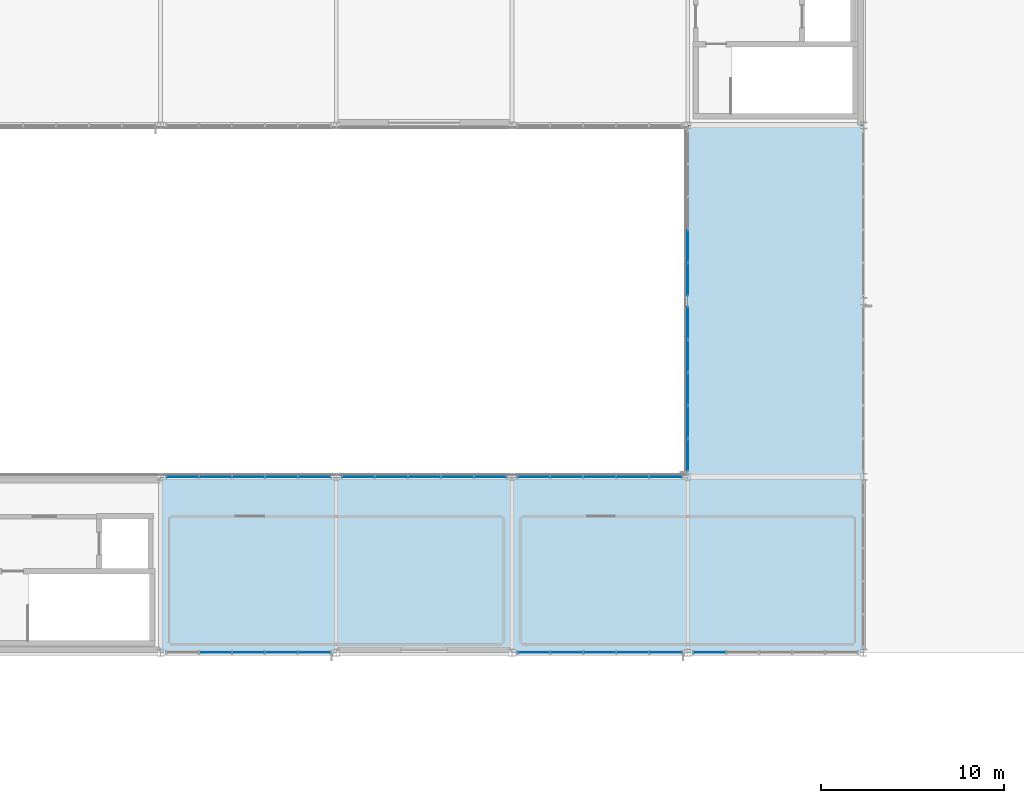
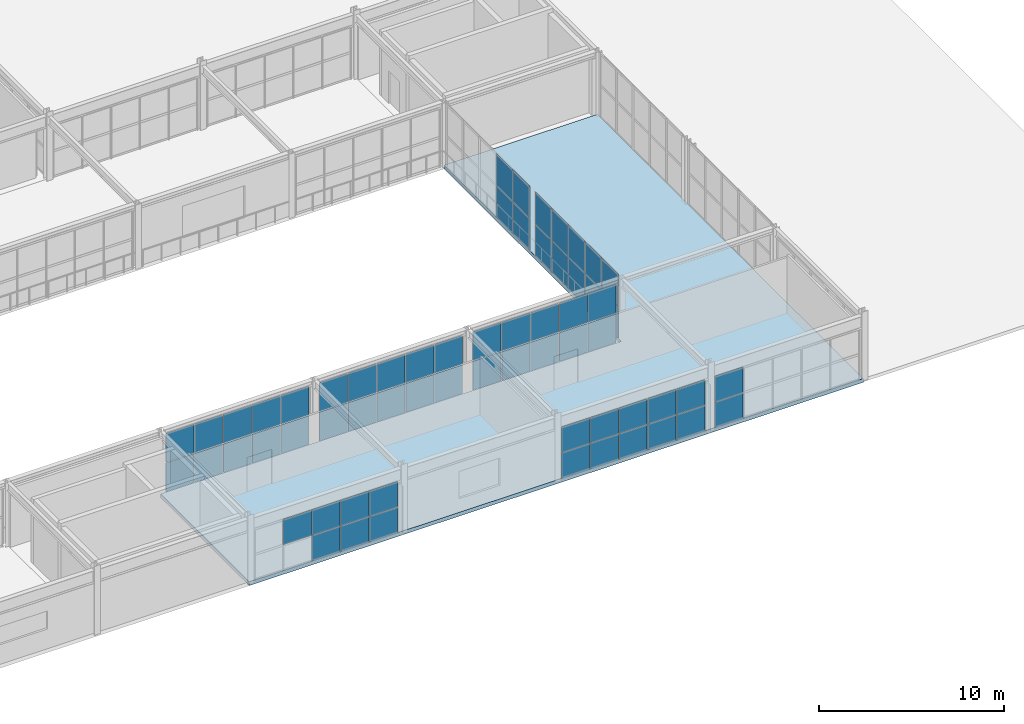
# One storey, part 137 of 170: 63 plates, 1 slab, 8 elements without a shape of their own.
"""IFC4 building model written with IfcOpenShell, lengths in metres."""

from ifc_helpers import new_model, si_unit, direction, frame, origin, origin_2d, place, context, subcontext, project, spatial, polyline, rectangle, outline, extrude, material, layer, layer_set, type_object, element, aggregate, save


model = new_model("IFC4")

# Units and contexts
model_context = context("Model", 3, precision=1e-05, world=origin(), true_north=direction((0.0, 1.0)))
body_context = subcontext(model_context, "Body", "Model", "MODEL_VIEW")
ifc_project = project(units=[si_unit("LENGTHUNIT", "METRE"), si_unit("AREAUNIT", "SQUARE_METRE"), si_unit("VOLUMEUNIT", "CUBIC_METRE"), si_unit("PLANEANGLEUNIT", "RADIAN"), si_unit("MASSUNIT", "GRAM", prefix="KILO")], contexts=[model_context])

# Site, building, storey
site_placement = place(None, origin())
site = spatial("IfcSite", under=ifc_project, at=site_placement, CompositionType="ELEMENT")
building_placement = place(site_placement, origin())
building = spatial("IfcBuilding", under=site, at=building_placement, Name="Coralgate Yard Interchange", CompositionType="ELEMENT")
storey_placement = place(building_placement, frame((0.0, 0.0, 6.0)))
storey = spatial("IfcBuildingStorey", under=building, at=storey_placement, Name="L01", CompositionType="ELEMENT", Elevation=6.0)

# Curtain wall, plates
ifc_material_1 = material(Name="Anodised coastal aluminium and solar-control low-E glass", Category="aluminium")
curtain_wall_type_1 = type_object("IfcCurtainWallType", Name="CW-CW-L01-A", PredefinedType="NOTDEFINED", material=ifc_material_1)
curtain_wall_1_placement = place(storey_placement, origin())
curtain_wall_1 = element("IfcCurtainWall", 1, at=curtain_wall_1_placement, inside=storey, type_object=curtain_wall_type_1, Name="L01 unitised curtain wall CW-L01-S-10-04", PredefinedType="NOTDEFINED")
ifc_material_2 = material(Name="Solar-control double-glazed low-E glass unit", Category="glass")
ifc_layer_1 = layer(ifc_material_2, 0.031982421875)
ifc_layer_set_1 = layer_set([ifc_layer_1], Name="Solar-control double-glazed low-E glass unit")
plate_type = type_object("IfcPlateType", Name="PLT-CP-32", PredefinedType="CURTAIN_PANEL", material=ifc_layer_set_1)
plate_1_placement = place(storey_placement, frame((104.39990234375, 38.39990234375, 0.02490234375), z_axis=(0.0, 0.0, 1.0), x_axis=(-1.0, 0.0, 0.0)))
plate_1 = element("IfcPlate", 2, at=plate_1_placement, type_object=plate_type, Name="CW-L01-S-10-04 solar-control glazing panel 1-1", PredefinedType="CURTAIN_PANEL", context=body_context, shape_type="SweptSolid", body=[
    extrude(rectangle(XDim=1.75, YDim=0.031982421875, at=origin_2d()), origin(), (0.0, 0.0, 1.0), 1.654541015625),
])
plate_2_placement = place(storey_placement, frame((104.39990234375, 38.39990234375, 1.7294921875), z_axis=(0.0, 0.0, 1.0), x_axis=(-1.0, 0.0, 0.0)))
plate_2 = element("IfcPlate", 3, at=plate_2_placement, type_object=plate_type, Name="CW-L01-S-10-04 solar-control glazing panel 1-2", PredefinedType="CURTAIN_PANEL", context=body_context, shape_type="SweptSolid", body=[
    extrude(rectangle(XDim=1.75, YDim=0.031982421875, at=origin_2d()), origin(), (0.0, 0.0, 1.0), 1.654541015625),
])
plate_3_placement = place(storey_placement, frame((102.60009765625, 38.39990234375, 0.02490234375), z_axis=(0.0, 0.0, 1.0), x_axis=(-1.0, 0.0, 0.0)))
plate_3 = element("IfcPlate", 4, at=plate_3_placement, type_object=plate_type, Name="CW-L01-S-10-04 solar-control glazing panel 2-1", PredefinedType="CURTAIN_PANEL", context=body_context, shape_type="SweptSolid", body=[
    extrude(rectangle(XDim=1.75, YDim=0.031982421875, at=origin_2d()), origin(), (0.0, 0.0, 1.0), 1.654541015625),
])
plate_4_placement = place(storey_placement, frame((102.60009765625, 38.39990234375, 1.7294921875), z_axis=(0.0, 0.0, 1.0), x_axis=(-1.0, 0.0, 0.0)))
plate_4 = element("IfcPlate", 5, at=plate_4_placement, type_object=plate_type, Name="CW-L01-S-10-04 solar-control glazing panel 2-2", PredefinedType="CURTAIN_PANEL", context=body_context, shape_type="SweptSolid", body=[
    extrude(rectangle(XDim=1.75, YDim=0.031982421875, at=origin_2d()), origin(), (0.0, 0.0, 1.0), 1.654541015625),
])
plate_5_placement = place(storey_placement, frame((100.800048828125, 38.39990234375, 0.02490234375), z_axis=(0.0, 0.0, 1.0), x_axis=(-1.0, 0.0, 0.0)))
plate_5 = element("IfcPlate", 6, at=plate_5_placement, type_object=plate_type, Name="CW-L01-S-10-04 solar-control glazing panel 3-1", PredefinedType="CURTAIN_PANEL", context=body_context, shape_type="SweptSolid", body=[
    extrude(rectangle(XDim=1.75, YDim=0.031982421875, at=origin_2d()), origin(), (0.0, 0.0, 1.0), 1.654541015625),
])
plate_6_placement = place(storey_placement, frame((100.800048828125, 38.39990234375, 1.7294921875), z_axis=(0.0, 0.0, 1.0), x_axis=(-1.0, 0.0, 0.0)))
plate_6 = element("IfcPlate", 7, at=plate_6_placement, type_object=plate_type, Name="CW-L01-S-10-04 solar-control glazing panel 3-2", PredefinedType="CURTAIN_PANEL", context=body_context, shape_type="SweptSolid", body=[
    extrude(rectangle(XDim=1.75, YDim=0.031982421875, at=origin_2d()), origin(), (0.0, 0.0, 1.0), 1.654541015625),
])
plate_7_placement = place(storey_placement, frame((99.0, 38.39990234375, 1.7294921875), z_axis=(0.0, 0.0, 1.0), x_axis=(-1.0, 0.0, 0.0)))
plate_7 = element("IfcPlate", 8, at=plate_7_placement, type_object=plate_type, Name="CW-L01-S-10-04 solar-control glazing panel 4-2", PredefinedType="CURTAIN_PANEL", context=body_context, shape_type="SweptSolid", body=[
    extrude(rectangle(XDim=1.75, YDim=0.031982421875, at=origin_2d()), origin(), (0.0, 0.0, 1.0), 1.654541015625),
])
aggregate(curtain_wall_1, [plate_1, plate_2, plate_3, plate_4, plate_5, plate_6, plate_7])

curtain_wall_type_2 = type_object("IfcCurtainWallType", Name="CW-CW-L01-B", PredefinedType="NOTDEFINED", material=ifc_material_1)
curtain_wall_2_placement = place(storey_placement, origin())
curtain_wall_2 = element("IfcCurtainWall", 9, at=curtain_wall_2_placement, inside=storey, type_object=curtain_wall_type_2, Name="L01 unitised curtain wall CW-L01-N-10-04", PredefinedType="NOTDEFINED")
plate_8_placement = place(storey_placement, frame((97.199951171875, 48.0, 0.025146484375), z_axis=(0.0, 0.0, 1.0), x_axis=(1.0, 0.0, 0.0)))
plate_8 = element("IfcPlate", 10, at=plate_8_placement, type_object=plate_type, Name="CW-L01-N-10-04 solar-control glazing panel 1-1", PredefinedType="CURTAIN_PANEL", context=body_context, shape_type="SweptSolid", body=[
    extrude(rectangle(XDim=1.75, YDim=0.031982421875, at=origin_2d()), origin(), (0.0, 0.0, 1.0), 1.89990234375),
])
plate_9_placement = place(storey_placement, frame((97.199951171875, 48.0, 1.97509765625), z_axis=(0.0, 0.0, 1.0), x_axis=(1.0, 0.0, 0.0)))
plate_9 = element("IfcPlate", 11, at=plate_9_placement, type_object=plate_type, Name="CW-L01-N-10-04 solar-control glazing panel 1-2", PredefinedType="CURTAIN_PANEL", context=body_context, shape_type="SweptSolid", body=[
    extrude(rectangle(XDim=1.75, YDim=0.031982421875, at=origin_2d()), origin(), (0.0, 0.0, 1.0), 1.89990234375),
])
plate_10_placement = place(storey_placement, frame((99.0, 48.0, 0.025146484375), z_axis=(0.0, 0.0, 1.0), x_axis=(1.0, 0.0, 0.0)))
plate_10 = element("IfcPlate", 12, at=plate_10_placement, type_object=plate_type, Name="CW-L01-N-10-04 solar-control glazing panel 2-1", PredefinedType="CURTAIN_PANEL", context=body_context, shape_type="SweptSolid", body=[
    extrude(rectangle(XDim=1.75, YDim=0.031982421875, at=origin_2d()), origin(), (0.0, 0.0, 1.0), 1.89990234375),
])
plate_11_placement = place(storey_placement, frame((99.0, 48.0, 1.97509765625), z_axis=(0.0, 0.0, 1.0), x_axis=(1.0, 0.0, 0.0)))
plate_11 = element("IfcPlate", 13, at=plate_11_placement, type_object=plate_type, Name="CW-L01-N-10-04 solar-control glazing panel 2-2", PredefinedType="CURTAIN_PANEL", context=body_context, shape_type="SweptSolid", body=[
    extrude(rectangle(XDim=1.75, YDim=0.031982421875, at=origin_2d()), origin(), (0.0, 0.0, 1.0), 1.89990234375),
])
plate_12_placement = place(storey_placement, frame((100.800048828125, 48.0, 0.025146484375), z_axis=(0.0, 0.0, 1.0), x_axis=(1.0, 0.0, 0.0)))
plate_12 = element("IfcPlate", 14, at=plate_12_placement, type_object=plate_type, Name="CW-L01-N-10-04 solar-control glazing panel 3-1", PredefinedType="CURTAIN_PANEL", context=body_context, shape_type="SweptSolid", body=[
    extrude(rectangle(XDim=1.75, YDim=0.031982421875, at=origin_2d()), origin(), (0.0, 0.0, 1.0), 1.89990234375),
])
plate_13_placement = place(storey_placement, frame((100.800048828125, 48.0, 1.97509765625), z_axis=(0.0, 0.0, 1.0), x_axis=(1.0, 0.0, 0.0)))
plate_13 = element("IfcPlate", 15, at=plate_13_placement, type_object=plate_type, Name="CW-L01-N-10-04 solar-control glazing panel 3-2", PredefinedType="CURTAIN_PANEL", context=body_context, shape_type="SweptSolid", body=[
    extrude(rectangle(XDim=1.75, YDim=0.031982421875, at=origin_2d()), origin(), (0.0, 0.0, 1.0), 1.89990234375),
])
plate_14_placement = place(storey_placement, frame((102.60009765625, 48.0, 0.025146484375), z_axis=(0.0, 0.0, 1.0), x_axis=(1.0, 0.0, 0.0)))
plate_14 = element("IfcPlate", 16, at=plate_14_placement, type_object=plate_type, Name="CW-L01-N-10-04 solar-control glazing panel 4-1", PredefinedType="CURTAIN_PANEL", context=body_context, shape_type="SweptSolid", body=[
    extrude(rectangle(XDim=1.75, YDim=0.031982421875, at=origin_2d()), origin(), (0.0, 0.0, 1.0), 1.89990234375),
])
plate_15_placement = place(storey_placement, frame((102.60009765625, 48.0, 1.97509765625), z_axis=(0.0, 0.0, 1.0), x_axis=(1.0, 0.0, 0.0)))
plate_15 = element("IfcPlate", 17, at=plate_15_placement, type_object=plate_type, Name="CW-L01-N-10-04 solar-control glazing panel 4-2", PredefinedType="CURTAIN_PANEL", context=body_context, shape_type="SweptSolid", body=[
    extrude(rectangle(XDim=1.75, YDim=0.031982421875, at=origin_2d()), origin(), (0.0, 0.0, 1.0), 1.89990234375),
])
plate_16_placement = place(storey_placement, frame((104.39990234375, 48.0, 0.025146484375), z_axis=(0.0, 0.0, 1.0), x_axis=(1.0, 0.0, 0.0)))
plate_16 = element("IfcPlate", 18, at=plate_16_placement, type_object=plate_type, Name="CW-L01-N-10-04 solar-control glazing panel 5-1", PredefinedType="CURTAIN_PANEL", context=body_context, shape_type="SweptSolid", body=[
    extrude(rectangle(XDim=1.75, YDim=0.031982421875, at=origin_2d()), origin(), (0.0, 0.0, 1.0), 1.89990234375),
])
plate_17_placement = place(storey_placement, frame((104.39990234375, 48.0, 1.97509765625), z_axis=(0.0, 0.0, 1.0), x_axis=(1.0, 0.0, 0.0)))
plate_17 = element("IfcPlate", 19, at=plate_17_placement, type_object=plate_type, Name="CW-L01-N-10-04 solar-control glazing panel 5-2", PredefinedType="CURTAIN_PANEL", context=body_context, shape_type="SweptSolid", body=[
    extrude(rectangle(XDim=1.75, YDim=0.031982421875, at=origin_2d()), origin(), (0.0, 0.0, 1.0), 1.89990234375),
])
aggregate(curtain_wall_2, [plate_8, plate_9, plate_10, plate_11, plate_12, plate_13, plate_14, plate_15, plate_16, plate_17])

curtain_wall_3_placement = place(storey_placement, origin())
curtain_wall_3 = element("IfcCurtainWall", 20, at=curtain_wall_3_placement, inside=storey, type_object=curtain_wall_type_2, Name="L01 unitised curtain wall CW-L01-N-11-04", PredefinedType="NOTDEFINED")
plate_18_placement = place(storey_placement, frame((106.800048828125, 48.0, 0.025146484375), z_axis=(0.0, 0.0, 1.0), x_axis=(1.0, 0.0, 0.0)))
plate_18 = element("IfcPlate", 21, at=plate_18_placement, type_object=plate_type, Name="CW-L01-N-11-04 solar-control glazing panel 1-1", PredefinedType="CURTAIN_PANEL", context=body_context, shape_type="SweptSolid", body=[
    extrude(rectangle(XDim=1.75, YDim=0.031982421875, at=origin_2d()), origin(), (0.0, 0.0, 1.0), 1.89990234375),
])
plate_19_placement = place(storey_placement, frame((106.800048828125, 48.0, 1.97509765625), z_axis=(0.0, 0.0, 1.0), x_axis=(1.0, 0.0, 0.0)))
plate_19 = element("IfcPlate", 22, at=plate_19_placement, type_object=plate_type, Name="CW-L01-N-11-04 solar-control glazing panel 1-2", PredefinedType="CURTAIN_PANEL", context=body_context, shape_type="SweptSolid", body=[
    extrude(rectangle(XDim=1.75, YDim=0.031982421875, at=origin_2d()), origin(), (0.0, 0.0, 1.0), 1.89990234375),
])
plate_20_placement = place(storey_placement, frame((108.60009765625, 48.0, 0.025146484375), z_axis=(0.0, 0.0, 1.0), x_axis=(1.0, 0.0, 0.0)))
plate_20 = element("IfcPlate", 23, at=plate_20_placement, type_object=plate_type, Name="CW-L01-N-11-04 solar-control glazing panel 2-1", PredefinedType="CURTAIN_PANEL", context=body_context, shape_type="SweptSolid", body=[
    extrude(rectangle(XDim=1.75, YDim=0.031982421875, at=origin_2d()), origin(), (0.0, 0.0, 1.0), 1.89990234375),
])
plate_21_placement = place(storey_placement, frame((108.60009765625, 48.0, 1.97509765625), z_axis=(0.0, 0.0, 1.0), x_axis=(1.0, 0.0, 0.0)))
plate_21 = element("IfcPlate", 24, at=plate_21_placement, type_object=plate_type, Name="CW-L01-N-11-04 solar-control glazing panel 2-2", PredefinedType="CURTAIN_PANEL", context=body_context, shape_type="SweptSolid", body=[
    extrude(rectangle(XDim=1.75, YDim=0.031982421875, at=origin_2d()), origin(), (0.0, 0.0, 1.0), 1.89990234375),
])
plate_22_placement = place(storey_placement, frame((110.39990234375, 48.0, 0.025146484375), z_axis=(0.0, 0.0, 1.0), x_axis=(1.0, 0.0, 0.0)))
plate_22 = element("IfcPlate", 25, at=plate_22_placement, type_object=plate_type, Name="CW-L01-N-11-04 solar-control glazing panel 3-1", PredefinedType="CURTAIN_PANEL", context=body_context, shape_type="SweptSolid", body=[
    extrude(rectangle(XDim=1.75, YDim=0.031982421875, at=origin_2d()), origin(), (0.0, 0.0, 1.0), 1.89990234375),
])
plate_23_placement = place(storey_placement, frame((110.39990234375, 48.0, 1.97509765625), z_axis=(0.0, 0.0, 1.0), x_axis=(1.0, 0.0, 0.0)))
plate_23 = element("IfcPlate", 26, at=plate_23_placement, type_object=plate_type, Name="CW-L01-N-11-04 solar-control glazing panel 3-2", PredefinedType="CURTAIN_PANEL", context=body_context, shape_type="SweptSolid", body=[
    extrude(rectangle(XDim=1.75, YDim=0.031982421875, at=origin_2d()), origin(), (0.0, 0.0, 1.0), 1.89990234375),
])
plate_24_placement = place(storey_placement, frame((112.199951171875, 48.0, 0.025146484375), z_axis=(0.0, 0.0, 1.0), x_axis=(1.0, 0.0, 0.0)))
plate_24 = element("IfcPlate", 27, at=plate_24_placement, type_object=plate_type, Name="CW-L01-N-11-04 solar-control glazing panel 4-1", PredefinedType="CURTAIN_PANEL", context=body_context, shape_type="SweptSolid", body=[
    extrude(rectangle(XDim=1.75, YDim=0.031982421875, at=origin_2d()), origin(), (0.0, 0.0, 1.0), 1.89990234375),
])
plate_25_placement = place(storey_placement, frame((112.199951171875, 48.0, 1.97509765625), z_axis=(0.0, 0.0, 1.0), x_axis=(1.0, 0.0, 0.0)))
plate_25 = element("IfcPlate", 28, at=plate_25_placement, type_object=plate_type, Name="CW-L01-N-11-04 solar-control glazing panel 4-2", PredefinedType="CURTAIN_PANEL", context=body_context, shape_type="SweptSolid", body=[
    extrude(rectangle(XDim=1.75, YDim=0.031982421875, at=origin_2d()), origin(), (0.0, 0.0, 1.0), 1.89990234375),
])
plate_26_placement = place(storey_placement, frame((114.0, 48.0, 0.025146484375), z_axis=(0.0, 0.0, 1.0), x_axis=(1.0, 0.0, 0.0)))
plate_26 = element("IfcPlate", 29, at=plate_26_placement, type_object=plate_type, Name="CW-L01-N-11-04 solar-control glazing panel 5-1", PredefinedType="CURTAIN_PANEL", context=body_context, shape_type="SweptSolid", body=[
    extrude(rectangle(XDim=1.75, YDim=0.031982421875, at=origin_2d()), origin(), (0.0, 0.0, 1.0), 1.89990234375),
])
plate_27_placement = place(storey_placement, frame((114.0, 48.0, 1.97509765625), z_axis=(0.0, 0.0, 1.0), x_axis=(1.0, 0.0, 0.0)))
plate_27 = element("IfcPlate", 30, at=plate_27_placement, type_object=plate_type, Name="CW-L01-N-11-04 solar-control glazing panel 5-2", PredefinedType="CURTAIN_PANEL", context=body_context, shape_type="SweptSolid", body=[
    extrude(rectangle(XDim=1.75, YDim=0.031982421875, at=origin_2d()), origin(), (0.0, 0.0, 1.0), 1.89990234375),
])
aggregate(curtain_wall_3, [plate_18, plate_19, plate_20, plate_21, plate_22, plate_23, plate_24, plate_25, plate_26, plate_27])

curtain_wall_4_placement = place(storey_placement, origin())
curtain_wall_4 = element("IfcCurtainWall", 31, at=curtain_wall_4_placement, inside=storey, type_object=curtain_wall_type_1, Name="L01 unitised curtain wall CW-L01-S-12-04", PredefinedType="NOTDEFINED")
plate_28_placement = place(storey_placement, frame((123.60009765625, 38.39990234375, 0.02490234375), z_axis=(0.0, 0.0, 1.0), x_axis=(-1.0, 0.0, 0.0)))
plate_28 = element("IfcPlate", 32, at=plate_28_placement, type_object=plate_type, Name="CW-L01-S-12-04 solar-control glazing panel 1-1", PredefinedType="CURTAIN_PANEL", context=body_context, shape_type="SweptSolid", body=[
    extrude(rectangle(XDim=1.75, YDim=0.031982421875, at=origin_2d()), origin(), (0.0, 0.0, 1.0), 1.654541015625),
])
plate_29_placement = place(storey_placement, frame((123.60009765625, 38.39990234375, 1.7294921875), z_axis=(0.0, 0.0, 1.0), x_axis=(-1.0, 0.0, 0.0)))
plate_29 = element("IfcPlate", 33, at=plate_29_placement, type_object=plate_type, Name="CW-L01-S-12-04 solar-control glazing panel 1-2", PredefinedType="CURTAIN_PANEL", context=body_context, shape_type="SweptSolid", body=[
    extrude(rectangle(XDim=1.75, YDim=0.031982421875, at=origin_2d()), origin(), (0.0, 0.0, 1.0), 1.654541015625),
])
plate_30_placement = place(storey_placement, frame((121.800048828125, 38.39990234375, 0.02490234375), z_axis=(0.0, 0.0, 1.0), x_axis=(-1.0, 0.0, 0.0)))
plate_30 = element("IfcPlate", 34, at=plate_30_placement, type_object=plate_type, Name="CW-L01-S-12-04 solar-control glazing panel 2-1", PredefinedType="CURTAIN_PANEL", context=body_context, shape_type="SweptSolid", body=[
    extrude(rectangle(XDim=1.75, YDim=0.031982421875, at=origin_2d()), origin(), (0.0, 0.0, 1.0), 1.654541015625),
])
plate_31_placement = place(storey_placement, frame((121.800048828125, 38.39990234375, 1.7294921875), z_axis=(0.0, 0.0, 1.0), x_axis=(-1.0, 0.0, 0.0)))
plate_31 = element("IfcPlate", 35, at=plate_31_placement, type_object=plate_type, Name="CW-L01-S-12-04 solar-control glazing panel 2-2", PredefinedType="CURTAIN_PANEL", context=body_context, shape_type="SweptSolid", body=[
    extrude(rectangle(XDim=1.75, YDim=0.031982421875, at=origin_2d()), origin(), (0.0, 0.0, 1.0), 1.654541015625),
])
plate_32_placement = place(storey_placement, frame((120.0, 38.39990234375, 0.02490234375), z_axis=(0.0, 0.0, 1.0), x_axis=(-1.0, 0.0, 0.0)))
plate_32 = element("IfcPlate", 36, at=plate_32_placement, type_object=plate_type, Name="CW-L01-S-12-04 solar-control glazing panel 3-1", PredefinedType="CURTAIN_PANEL", context=body_context, shape_type="SweptSolid", body=[
    extrude(rectangle(XDim=1.75, YDim=0.031982421875, at=origin_2d()), origin(), (0.0, 0.0, 1.0), 1.654541015625),
])
plate_33_placement = place(storey_placement, frame((120.0, 38.39990234375, 1.7294921875), z_axis=(0.0, 0.0, 1.0), x_axis=(-1.0, 0.0, 0.0)))
plate_33 = element("IfcPlate", 37, at=plate_33_placement, type_object=plate_type, Name="CW-L01-S-12-04 solar-control glazing panel 3-2", PredefinedType="CURTAIN_PANEL", context=body_context, shape_type="SweptSolid", body=[
    extrude(rectangle(XDim=1.75, YDim=0.031982421875, at=origin_2d()), origin(), (0.0, 0.0, 1.0), 1.654541015625),
])
plate_34_placement = place(storey_placement, frame((118.199951171875, 38.39990234375, 0.02490234375), z_axis=(0.0, 0.0, 1.0), x_axis=(-1.0, 0.0, 0.0)))
plate_34 = element("IfcPlate", 38, at=plate_34_placement, type_object=plate_type, Name="CW-L01-S-12-04 solar-control glazing panel 4-1", PredefinedType="CURTAIN_PANEL", context=body_context, shape_type="SweptSolid", body=[
    extrude(rectangle(XDim=1.75, YDim=0.031982421875, at=origin_2d()), origin(), (0.0, 0.0, 1.0), 1.654541015625),
])
plate_35_placement = place(storey_placement, frame((118.199951171875, 38.39990234375, 1.7294921875), z_axis=(0.0, 0.0, 1.0), x_axis=(-1.0, 0.0, 0.0)))
plate_35 = element("IfcPlate", 39, at=plate_35_placement, type_object=plate_type, Name="CW-L01-S-12-04 solar-control glazing panel 4-2", PredefinedType="CURTAIN_PANEL", context=body_context, shape_type="SweptSolid", body=[
    extrude(rectangle(XDim=1.75, YDim=0.031982421875, at=origin_2d()), origin(), (0.0, 0.0, 1.0), 1.654541015625),
])
plate_36_placement = place(storey_placement, frame((116.39990234375, 38.39990234375, 0.02490234375), z_axis=(0.0, 0.0, 1.0), x_axis=(-1.0, 0.0, 0.0)))
plate_36 = element("IfcPlate", 40, at=plate_36_placement, type_object=plate_type, Name="CW-L01-S-12-04 solar-control glazing panel 5-1", PredefinedType="CURTAIN_PANEL", context=body_context, shape_type="SweptSolid", body=[
    extrude(rectangle(XDim=1.75, YDim=0.031982421875, at=origin_2d()), origin(), (0.0, 0.0, 1.0), 1.654541015625),
])
plate_37_placement = place(storey_placement, frame((116.39990234375, 38.39990234375, 1.7294921875), z_axis=(0.0, 0.0, 1.0), x_axis=(-1.0, 0.0, 0.0)))
plate_37 = element("IfcPlate", 41, at=plate_37_placement, type_object=plate_type, Name="CW-L01-S-12-04 solar-control glazing panel 5-2", PredefinedType="CURTAIN_PANEL", context=body_context, shape_type="SweptSolid", body=[
    extrude(rectangle(XDim=1.75, YDim=0.031982421875, at=origin_2d()), origin(), (0.0, 0.0, 1.0), 1.654541015625),
])
aggregate(curtain_wall_4, [plate_28, plate_29, plate_30, plate_31, plate_32, plate_33, plate_34, plate_35, plate_36, plate_37])

curtain_wall_5_placement = place(storey_placement, origin())
curtain_wall_5 = element("IfcCurtainWall", 42, at=curtain_wall_5_placement, inside=storey, type_object=curtain_wall_type_2, Name="L01 unitised curtain wall CW-L01-N-12-04", PredefinedType="NOTDEFINED")
plate_38_placement = place(storey_placement, frame((116.39990234375, 48.0, 0.025146484375), z_axis=(0.0, 0.0, 1.0), x_axis=(1.0, 0.0, 0.0)))
plate_38 = element("IfcPlate", 43, at=plate_38_placement, type_object=plate_type, Name="CW-L01-N-12-04 solar-control glazing panel 1-1", PredefinedType="CURTAIN_PANEL", context=body_context, shape_type="SweptSolid", body=[
    extrude(rectangle(XDim=1.75, YDim=0.031982421875, at=origin_2d()), origin(), (0.0, 0.0, 1.0), 1.89990234375),
])
plate_39_placement = place(storey_placement, frame((116.39990234375, 48.0, 1.97509765625), z_axis=(0.0, 0.0, 1.0), x_axis=(1.0, 0.0, 0.0)))
plate_39 = element("IfcPlate", 44, at=plate_39_placement, type_object=plate_type, Name="CW-L01-N-12-04 solar-control glazing panel 1-2", PredefinedType="CURTAIN_PANEL", context=body_context, shape_type="SweptSolid", body=[
    extrude(rectangle(XDim=1.75, YDim=0.031982421875, at=origin_2d()), origin(), (0.0, 0.0, 1.0), 1.89990234375),
])
plate_40_placement = place(storey_placement, frame((118.199951171875, 48.0, 0.025146484375), z_axis=(0.0, 0.0, 1.0), x_axis=(1.0, 0.0, 0.0)))
plate_40 = element("IfcPlate", 45, at=plate_40_placement, type_object=plate_type, Name="CW-L01-N-12-04 solar-control glazing panel 2-1", PredefinedType="CURTAIN_PANEL", context=body_context, shape_type="SweptSolid", body=[
    extrude(rectangle(XDim=1.75, YDim=0.031982421875, at=origin_2d()), origin(), (0.0, 0.0, 1.0), 1.89990234375),
])
plate_41_placement = place(storey_placement, frame((118.199951171875, 48.0, 1.97509765625), z_axis=(0.0, 0.0, 1.0), x_axis=(1.0, 0.0, 0.0)))
plate_41 = element("IfcPlate", 46, at=plate_41_placement, type_object=plate_type, Name="CW-L01-N-12-04 solar-control glazing panel 2-2", PredefinedType="CURTAIN_PANEL", context=body_context, shape_type="SweptSolid", body=[
    extrude(rectangle(XDim=1.75, YDim=0.031982421875, at=origin_2d()), origin(), (0.0, 0.0, 1.0), 1.89990234375),
])
plate_42_placement = place(storey_placement, frame((120.0, 48.0, 0.025146484375), z_axis=(0.0, 0.0, 1.0), x_axis=(1.0, 0.0, 0.0)))
plate_42 = element("IfcPlate", 47, at=plate_42_placement, type_object=plate_type, Name="CW-L01-N-12-04 solar-control glazing panel 3-1", PredefinedType="CURTAIN_PANEL", context=body_context, shape_type="SweptSolid", body=[
    extrude(rectangle(XDim=1.75, YDim=0.031982421875, at=origin_2d()), origin(), (0.0, 0.0, 1.0), 1.89990234375),
])
plate_43_placement = place(storey_placement, frame((120.0, 48.0, 1.97509765625), z_axis=(0.0, 0.0, 1.0), x_axis=(1.0, 0.0, 0.0)))
plate_43 = element("IfcPlate", 48, at=plate_43_placement, type_object=plate_type, Name="CW-L01-N-12-04 solar-control glazing panel 3-2", PredefinedType="CURTAIN_PANEL", context=body_context, shape_type="SweptSolid", body=[
    extrude(rectangle(XDim=1.75, YDim=0.031982421875, at=origin_2d()), origin(), (0.0, 0.0, 1.0), 1.89990234375),
])
plate_44_placement = place(storey_placement, frame((121.800048828125, 48.0, 0.025146484375), z_axis=(0.0, 0.0, 1.0), x_axis=(1.0, 0.0, 0.0)))
plate_44 = element("IfcPlate", 49, at=plate_44_placement, type_object=plate_type, Name="CW-L01-N-12-04 solar-control glazing panel 4-1", PredefinedType="CURTAIN_PANEL", context=body_context, shape_type="SweptSolid", body=[
    extrude(rectangle(XDim=1.75, YDim=0.031982421875, at=origin_2d()), origin(), (0.0, 0.0, 1.0), 1.89990234375),
])
plate_45_placement = place(storey_placement, frame((121.800048828125, 48.0, 1.97509765625), z_axis=(0.0, 0.0, 1.0), x_axis=(1.0, 0.0, 0.0)))
plate_45 = element("IfcPlate", 50, at=plate_45_placement, type_object=plate_type, Name="CW-L01-N-12-04 solar-control glazing panel 4-2", PredefinedType="CURTAIN_PANEL", context=body_context, shape_type="SweptSolid", body=[
    extrude(rectangle(XDim=1.75, YDim=0.031982421875, at=origin_2d()), origin(), (0.0, 0.0, 1.0), 1.89990234375),
])
plate_46_placement = place(storey_placement, frame((123.60009765625, 48.0, 0.025146484375), z_axis=(0.0, 0.0, 1.0), x_axis=(1.0, 0.0, 0.0)))
plate_46 = element("IfcPlate", 51, at=plate_46_placement, type_object=plate_type, Name="CW-L01-N-12-04 solar-control glazing panel 5-1", PredefinedType="CURTAIN_PANEL", context=body_context, shape_type="SweptSolid", body=[
    extrude(rectangle(XDim=1.75, YDim=0.031982421875, at=origin_2d()), origin(), (0.0, 0.0, 1.0), 1.89990234375),
])
plate_47_placement = place(storey_placement, frame((123.60009765625, 48.0, 1.97509765625), z_axis=(0.0, 0.0, 1.0), x_axis=(1.0, 0.0, 0.0)))
plate_47 = element("IfcPlate", 52, at=plate_47_placement, type_object=plate_type, Name="CW-L01-N-12-04 solar-control glazing panel 5-2", PredefinedType="CURTAIN_PANEL", context=body_context, shape_type="SweptSolid", body=[
    extrude(rectangle(XDim=1.75, YDim=0.031982421875, at=origin_2d()), origin(), (0.0, 0.0, 1.0), 1.89990234375),
])
aggregate(curtain_wall_5, [plate_38, plate_39, plate_40, plate_41, plate_42, plate_43, plate_44, plate_45, plate_46, plate_47])

curtain_wall_6_placement = place(storey_placement, origin())
curtain_wall_6 = element("IfcCurtainWall", 53, at=curtain_wall_6_placement, inside=storey, type_object=curtain_wall_type_1, Name="L01 unitised curtain wall CW-L01-S-13-04", PredefinedType="NOTDEFINED")
plate_48_placement = place(storey_placement, frame((126.0, 38.39990234375, 0.02490234375), z_axis=(0.0, 0.0, 1.0), x_axis=(-1.0, 0.0, 0.0)))
plate_48 = element("IfcPlate", 54, at=plate_48_placement, type_object=plate_type, Name="CW-L01-S-13-04 solar-control glazing panel 5-1", PredefinedType="CURTAIN_PANEL", context=body_context, shape_type="SweptSolid", body=[
    extrude(rectangle(XDim=1.75, YDim=0.031982421875, at=origin_2d()), origin(), (0.0, 0.0, 1.0), 1.654541015625),
])
plate_49_placement = place(storey_placement, frame((126.0, 38.39990234375, 1.7294921875), z_axis=(0.0, 0.0, 1.0), x_axis=(-1.0, 0.0, 0.0)))
plate_49 = element("IfcPlate", 55, at=plate_49_placement, type_object=plate_type, Name="CW-L01-S-13-04 solar-control glazing panel 5-2", PredefinedType="CURTAIN_PANEL", context=body_context, shape_type="SweptSolid", body=[
    extrude(rectangle(XDim=1.75, YDim=0.031982421875, at=origin_2d()), origin(), (0.0, 0.0, 1.0), 1.654541015625),
])
aggregate(curtain_wall_6, [plate_48, plate_49])

curtain_wall_7_placement = place(storey_placement, origin())
curtain_wall_7 = element("IfcCurtainWall", 56, at=curtain_wall_7_placement, inside=storey, type_object=curtain_wall_type_1, Name="L01 unitised curtain wall CW-L01-W-13-05", PredefinedType="NOTDEFINED")
plate_50_placement = place(storey_placement, frame((124.800048828125, 49.199951171875, 0.02490234375), z_axis=(0.0, 0.0, 1.0), x_axis=(0.0, 1.0, 0.0)))
plate_50 = element("IfcPlate", 57, at=plate_50_placement, type_object=plate_type, Name="CW-L01-W-13-05 solar-control glazing panel 1-1", PredefinedType="CURTAIN_PANEL", context=body_context, shape_type="SweptSolid", body=[
    extrude(rectangle(XDim=1.75, YDim=0.031982421875, at=origin_2d()), origin(), (0.0, 0.0, 1.0), 2.074951171875),
])
plate_51_placement = place(storey_placement, frame((124.800048828125, 49.199951171875, 2.14990234375), z_axis=(0.0, 0.0, 1.0), x_axis=(0.0, 1.0, 0.0)))
plate_51 = element("IfcPlate", 58, at=plate_51_placement, type_object=plate_type, Name="CW-L01-W-13-05 solar-control glazing panel 1-2", PredefinedType="CURTAIN_PANEL", context=body_context, shape_type="SweptSolid", body=[
    extrude(rectangle(XDim=1.75, YDim=0.031982421875, at=origin_2d()), origin(), (0.0, 0.0, 1.0), 2.074951171875),
])
plate_52_placement = place(storey_placement, frame((124.800048828125, 51.0, 0.02490234375), z_axis=(0.0, 0.0, 1.0), x_axis=(0.0, 1.0, 0.0)))
plate_52 = element("IfcPlate", 59, at=plate_52_placement, type_object=plate_type, Name="CW-L01-W-13-05 solar-control glazing panel 2-1", PredefinedType="CURTAIN_PANEL", context=body_context, shape_type="SweptSolid", body=[
    extrude(rectangle(XDim=1.75, YDim=0.031982421875, at=origin_2d()), origin(), (0.0, 0.0, 1.0), 2.074951171875),
])
plate_53_placement = place(storey_placement, frame((124.800048828125, 51.0, 2.14990234375), z_axis=(0.0, 0.0, 1.0), x_axis=(0.0, 1.0, 0.0)))
plate_53 = element("IfcPlate", 60, at=plate_53_placement, type_object=plate_type, Name="CW-L01-W-13-05 solar-control glazing panel 2-2", PredefinedType="CURTAIN_PANEL", context=body_context, shape_type="SweptSolid", body=[
    extrude(rectangle(XDim=1.75, YDim=0.031982421875, at=origin_2d()), origin(), (0.0, 0.0, 1.0), 2.074951171875),
])
plate_54_placement = place(storey_placement, frame((124.800048828125, 52.800048828125, 0.02490234375), z_axis=(0.0, 0.0, 1.0), x_axis=(0.0, 1.0, 0.0)))
plate_54 = element("IfcPlate", 61, at=plate_54_placement, type_object=plate_type, Name="CW-L01-W-13-05 solar-control glazing panel 3-1", PredefinedType="CURTAIN_PANEL", context=body_context, shape_type="SweptSolid", body=[
    extrude(rectangle(XDim=1.75, YDim=0.031982421875, at=origin_2d()), origin(), (0.0, 0.0, 1.0), 2.074951171875),
])
plate_55_placement = place(storey_placement, frame((124.800048828125, 52.800048828125, 2.14990234375), z_axis=(0.0, 0.0, 1.0), x_axis=(0.0, 1.0, 0.0)))
plate_55 = element("IfcPlate", 62, at=plate_55_placement, type_object=plate_type, Name="CW-L01-W-13-05 solar-control glazing panel 3-2", PredefinedType="CURTAIN_PANEL", context=body_context, shape_type="SweptSolid", body=[
    extrude(rectangle(XDim=1.75, YDim=0.031982421875, at=origin_2d()), origin(), (0.0, 0.0, 1.0), 2.074951171875),
])
plate_56_placement = place(storey_placement, frame((124.800048828125, 54.60009765625, 0.02490234375), z_axis=(0.0, 0.0, 1.0), x_axis=(0.0, 1.0, 0.0)))
plate_56 = element("IfcPlate", 63, at=plate_56_placement, type_object=plate_type, Name="CW-L01-W-13-05 solar-control glazing panel 4-1", PredefinedType="CURTAIN_PANEL", context=body_context, shape_type="SweptSolid", body=[
    extrude(rectangle(XDim=1.75, YDim=0.031982421875, at=origin_2d()), origin(), (0.0, 0.0, 1.0), 2.074951171875),
])
plate_57_placement = place(storey_placement, frame((124.800048828125, 54.60009765625, 2.14990234375), z_axis=(0.0, 0.0, 1.0), x_axis=(0.0, 1.0, 0.0)))
plate_57 = element("IfcPlate", 64, at=plate_57_placement, type_object=plate_type, Name="CW-L01-W-13-05 solar-control glazing panel 4-2", PredefinedType="CURTAIN_PANEL", context=body_context, shape_type="SweptSolid", body=[
    extrude(rectangle(XDim=1.75, YDim=0.031982421875, at=origin_2d()), origin(), (0.0, 0.0, 1.0), 2.074951171875),
])
plate_58_placement = place(storey_placement, frame((124.800048828125, 56.39990234375, 0.02490234375), z_axis=(0.0, 0.0, 1.0), x_axis=(0.0, 1.0, 0.0)))
plate_58 = element("IfcPlate", 65, at=plate_58_placement, type_object=plate_type, Name="CW-L01-W-13-05 solar-control glazing panel 5-1", PredefinedType="CURTAIN_PANEL", context=body_context, shape_type="SweptSolid", body=[
    extrude(rectangle(XDim=1.75, YDim=0.031982421875, at=origin_2d()), origin(), (0.0, 0.0, 1.0), 2.074951171875),
])
plate_59_placement = place(storey_placement, frame((124.800048828125, 56.39990234375, 2.14990234375), z_axis=(0.0, 0.0, 1.0), x_axis=(0.0, 1.0, 0.0)))
plate_59 = element("IfcPlate", 66, at=plate_59_placement, type_object=plate_type, Name="CW-L01-W-13-05 solar-control glazing panel 5-2", PredefinedType="CURTAIN_PANEL", context=body_context, shape_type="SweptSolid", body=[
    extrude(rectangle(XDim=1.75, YDim=0.031982421875, at=origin_2d()), origin(), (0.0, 0.0, 1.0), 2.074951171875),
])
aggregate(curtain_wall_7, [plate_50, plate_51, plate_52, plate_53, plate_54, plate_55, plate_56, plate_57, plate_58, plate_59])

curtain_wall_8_placement = place(storey_placement, origin())
curtain_wall_8 = element("IfcCurtainWall", 67, at=curtain_wall_8_placement, inside=storey, type_object=curtain_wall_type_1, Name="L01 unitised curtain wall CW-L01-W-13-06", PredefinedType="NOTDEFINED")
plate_60_placement = place(storey_placement, frame((124.800048828125, 58.800048828125, 0.02490234375), z_axis=(0.0, 0.0, 1.0), x_axis=(0.0, 1.0, 0.0)))
plate_60 = element("IfcPlate", 68, at=plate_60_placement, type_object=plate_type, Name="CW-L01-W-13-06 solar-control glazing panel 1-1", PredefinedType="CURTAIN_PANEL", context=body_context, shape_type="SweptSolid", body=[
    extrude(rectangle(XDim=1.75, YDim=0.031982421875, at=origin_2d()), origin(), (0.0, 0.0, 1.0), 2.074951171875),
])
plate_61_placement = place(storey_placement, frame((124.800048828125, 58.800048828125, 2.14990234375), z_axis=(0.0, 0.0, 1.0), x_axis=(0.0, 1.0, 0.0)))
plate_61 = element("IfcPlate", 69, at=plate_61_placement, type_object=plate_type, Name="CW-L01-W-13-06 solar-control glazing panel 1-2", PredefinedType="CURTAIN_PANEL", context=body_context, shape_type="SweptSolid", body=[
    extrude(rectangle(XDim=1.75, YDim=0.031982421875, at=origin_2d()), origin(), (0.0, 0.0, 1.0), 2.074951171875),
])
plate_62_placement = place(storey_placement, frame((124.800048828125, 60.60009765625, 0.02490234375), z_axis=(0.0, 0.0, 1.0), x_axis=(0.0, 1.0, 0.0)))
plate_62 = element("IfcPlate", 70, at=plate_62_placement, type_object=plate_type, Name="CW-L01-W-13-06 solar-control glazing panel 2-1", PredefinedType="CURTAIN_PANEL", context=body_context, shape_type="SweptSolid", body=[
    extrude(rectangle(XDim=1.75, YDim=0.031982421875, at=origin_2d()), origin(), (0.0, 0.0, 1.0), 2.074951171875),
])
plate_63_placement = place(storey_placement, frame((124.800048828125, 60.60009765625, 2.14990234375), z_axis=(0.0, 0.0, 1.0), x_axis=(0.0, 1.0, 0.0)))
plate_63 = element("IfcPlate", 71, at=plate_63_placement, type_object=plate_type, Name="CW-L01-W-13-06 solar-control glazing panel 2-2", PredefinedType="CURTAIN_PANEL", context=body_context, shape_type="SweptSolid", body=[
    extrude(rectangle(XDim=1.75, YDim=0.031982421875, at=origin_2d()), origin(), (0.0, 0.0, 1.0), 2.074951171875),
])
aggregate(curtain_wall_8, [plate_60, plate_61, plate_62, plate_63])

# Slab
ifc_material_3 = material(Name="Concrete C40/50", Category="concrete")
ifc_layer_2 = layer(ifc_material_3, 0.25)
ifc_layer_set_2 = layer_set([ifc_layer_2], Name="Concrete C40/50")
slab_type = type_object("IfcSlabType", Name="SLB-SL-FLR250", PredefinedType="FLOOR", material=ifc_layer_set_2)
slab_placement = place(storey_placement, frame((0.0, 0.0, -0.25)))
element("IfcSlab", 72, at=slab_placement, inside=storey, type_object=slab_type, Name="L01 concourse mezzanine ring gallery slab", PredefinedType="FLOOR", context=body_context, shape_type="SweptSolid", body=[
    extrude(outline(polyline([(115.199951171875, 48.0), (124.800048828125, 48.0), (124.800048828125, 57.60009765625), (124.800048828125, 67.199951171875), (134.39990234375, 67.199951171875), (134.39990234375, 57.60009765625), (134.39990234375, 48.0), (134.39990234375, 38.39990234375), (124.800048828125, 38.39990234375), (115.199951171875, 38.39990234375), (105.60009765625, 38.39990234375), (96.0, 38.39990234375), (96.0, 48.0), (105.60009765625, 48.0), (115.199951171875, 48.0)])), origin(), (0.0, 0.0, 1.0), 0.25),
])

save(model, "model.ifc")
